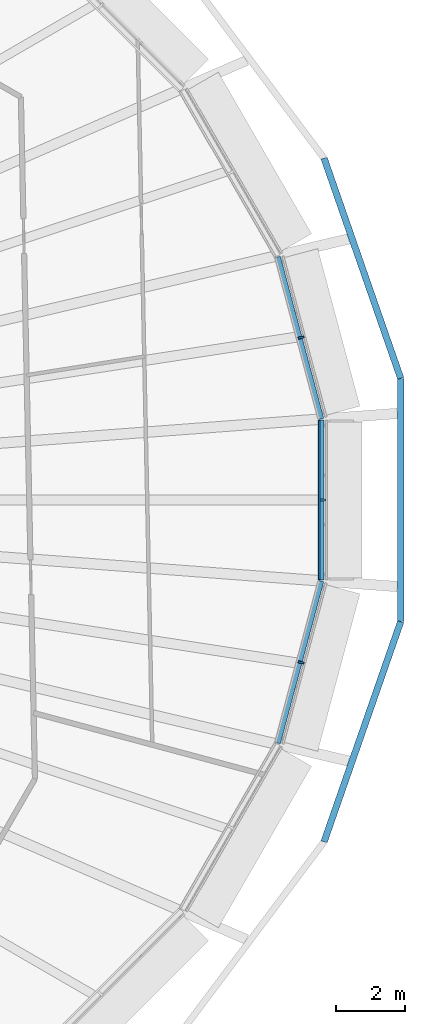
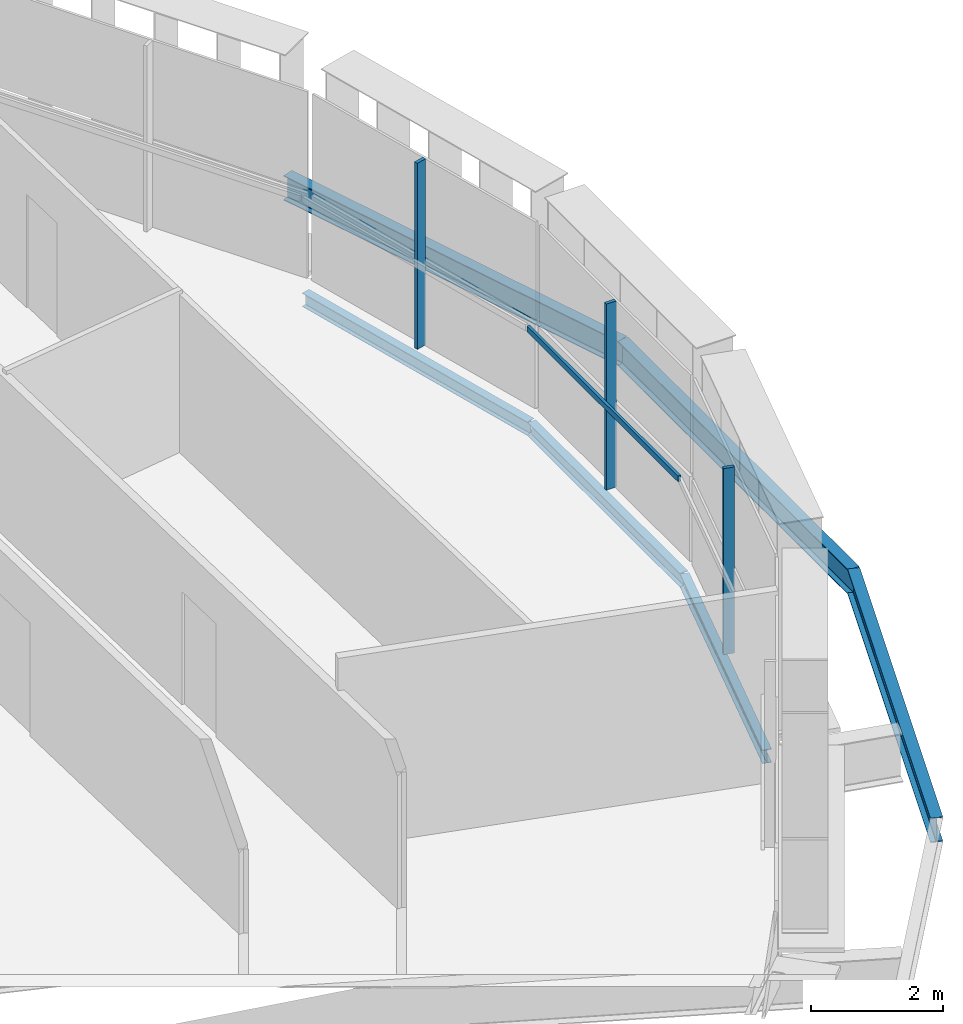
# One storey, part 9 of 23: 6 beams, 4 members, 3 elements without a shape of their own.
"""IFC4 building model written with IfcOpenShell, lengths in metres."""

from ifc_helpers import new_model, si_unit, direction, frame, origin, origin_2d, place, context, subcontext, project, spatial, rectangle, i_section, extrude, material, layer, layer_set, material_profile, profile_set, type_object, element, aggregate, save


model = new_model("IFC4")

# Units and contexts
model_context = context("Model", 3, precision=1e-05, world=origin(), true_north=direction((0.0, 1.0)))
body_context = subcontext(model_context, "Body", "Model", "MODEL_VIEW")
ifc_project = project(units=[si_unit("LENGTHUNIT", "METRE"), si_unit("AREAUNIT", "SQUARE_METRE"), si_unit("VOLUMEUNIT", "CUBIC_METRE"), si_unit("PLANEANGLEUNIT", "RADIAN"), si_unit("MASSUNIT", "GRAM", prefix="KILO")], contexts=[model_context])

# Site, building, storey
site_placement = place(None, origin())
site = spatial("IfcSite", under=ifc_project, at=site_placement, CompositionType="ELEMENT")
building_placement = place(site_placement, origin())
building = spatial("IfcBuilding", under=site, at=building_placement, Name="Sahrelin Media Tower", CompositionType="ELEMENT")
storey_placement = place(building_placement, frame((0.0, 0.0, 157.60009765625)))
storey = spatial("IfcBuildingStorey", under=building, at=storey_placement, Name="L32", CompositionType="ELEMENT", Elevation=157.60009765625)

# Beams
ifc_material_1 = material(Name="Steel S355", Category="steel")
ifc_material_profile_1 = material_profile(ifc_material_1, i_section(OverallWidth=0.14599609375, OverallDepth=0.25146484375, WebThickness=0.006103515625, FlangeThickness=0.008544921875, FilletRadius=0.007568359375, at=origin_2d()), Name="UB 254x146x31")
ifc_profile_set_1 = profile_set([ifc_material_profile_1], Name="Steel S355")
beam_type_1 = type_object("IfcBeamType", Name="Edge beam EB1", PredefinedType="BEAM", material=ifc_profile_set_1)
beam_1_placement = place(storey_placement, frame((31.201416015625, 2.30859375, -0.27587890625), z_axis=(0.0, -1.0, 0.0), x_axis=(1.0, 0.0, 0.0)))
element("IfcBeam", 1, at=beam_1_placement, inside=storey, type_object=beam_type_1, Name="Edge beam L32-01", PredefinedType="BEAM", context=body_context, shape_type="SweptSolid", body=[
    extrude(i_section(OverallWidth=0.14599609375, OverallDepth=0.25146484375, WebThickness=0.006103515625, FlangeThickness=0.008544921875, FilletRadius=0.007568359375, at=origin_2d()), origin(), (0.0, 0.0, 1.0), 4.6171875),
])
for number, where, z_axis, x_axis, name in (
    (2, (31.19775390625, -2.33740234375, -0.27587890625), (-0.258800908736, -0.965930685731, 0.0), (0.965930685731, -0.258800908736, 0.0), "Edge beam L32-02"),
    (3, (29.947265625, 7.004638671875, -0.27587890625), (0.258800908736, -0.965930685731, 0.0), (0.965930685731, 0.258800908736, 0.0), "Edge beam L32-24"),
):
    element("IfcBeam", number, at=place(storey_placement, frame(where, z_axis=z_axis, x_axis=x_axis)), inside=storey, type_object=beam_type_1, Name=name, PredefinedType="BEAM", context=body_context, shape_type="SweptSolid", body=[
        extrude(i_section(OverallWidth=0.14599609375, OverallDepth=0.25146484375, WebThickness=0.006103515625, FlangeThickness=0.008544921875, FilletRadius=0.007568359375, at=origin_2d()), origin(), (0.0, 0.0, 1.0), 4.831787109375),
    ])

# Curtain wall, member
ifc_material_2 = material(Name="Champagne anodised aluminium 6063-T6", Category="aluminium")
ifc_layer = layer(ifc_material_2, 0.14990234375)
ifc_layer_set = layer_set([ifc_layer], Name="Tower ribbon curtain wall")
curtain_wall_type = type_object("IfcCurtainWallType", Name="Tower ribbon curtain wall", PredefinedType="NOTDEFINED", material=ifc_layer_set)
curtain_wall_1_placement = place(storey_placement, frame((31.3515625, 0.0, 0.0), z_axis=(0.0, 0.0, 1.0), x_axis=(1.0, 0.0, 0.0)))
curtain_wall_1 = element("IfcCurtainWall", 4, at=curtain_wall_1_placement, inside=storey, type_object=curtain_wall_type, Name="L32:CW:L32-00", PredefinedType="NOTDEFINED")
ifc_material_profile_2 = material_profile(ifc_material_2, rectangle(XDim=0.06005859375, YDim=0.175048828125, at=origin_2d()), Name="Mullion 60x175")
ifc_profile_set_2 = profile_set([ifc_material_profile_2], Name="Champagne anodised aluminium 6063-T6")
member_type_1 = type_object("IfcMemberType", Name="Mullion 60x175 CW1B", PredefinedType="MULLION", material=ifc_profile_set_2)
member_1_placement = place(storey_placement, frame((31.243896484375, 0.0, 0.0), z_axis=(0.0, 0.0, 1.0), x_axis=(0.0, 1.0, 0.0)))
member_1 = element("IfcMember", 5, at=member_1_placement, type_object=member_type_1, Name="L32:CWM:L32-00", PredefinedType="MULLION", context=body_context, shape_type="SweptSolid", body=[
    extrude(rectangle(XDim=0.06005859375, YDim=0.175048828125, at=origin_2d()), origin(), (0.0, 0.0, 1.0), 3.448486328125),
])

curtain_wall_2_placement = place(storey_placement, frame((30.71728515625, 4.709716796875, 0.0), z_axis=(0.0, 0.0, 1.0), x_axis=(1.0, 0.0, 0.0)))
curtain_wall_2 = element("IfcCurtainWall", 6, at=curtain_wall_2_placement, inside=storey, type_object=curtain_wall_type, Name="L32:CW:L32-01", PredefinedType="NOTDEFINED")
member_2_placement = place(storey_placement, frame((30.613525390625, 4.681884765625, 0.0), z_axis=(0.0, 0.0, 1.0), x_axis=(-0.258807244073, 0.965928988288, 0.0)))
member_2 = element("IfcMember", 7, at=member_2_placement, type_object=member_type_1, Name="L32:CWM:L32-01", PredefinedType="MULLION", context=body_context, shape_type="SweptSolid", body=[
    extrude(rectangle(XDim=0.06005859375, YDim=0.175048828125, at=origin_2d()), origin(), (0.0, 0.0, 1.0), 3.448486328125),
])
aggregate(curtain_wall_2, [member_2])

curtain_wall_3_placement = place(storey_placement, frame((30.71728515625, -4.709716796875, 0.0), z_axis=(0.0, 0.0, 1.0), x_axis=(1.0, 0.0, 0.0)))
curtain_wall_3 = element("IfcCurtainWall", 8, at=curtain_wall_3_placement, inside=storey, type_object=curtain_wall_type, Name="L32:CW:L32-23", PredefinedType="NOTDEFINED")
member_3_placement = place(storey_placement, frame((30.613525390625, -4.681884765625, 0.0), z_axis=(0.0, 0.0, 1.0), x_axis=(0.258807244073, 0.965928988288, 0.0)))
member_3 = element("IfcMember", 9, at=member_3_placement, type_object=member_type_1, Name="L32:CWM:L32-23", PredefinedType="MULLION", context=body_context, shape_type="SweptSolid", body=[
    extrude(rectangle(XDim=0.06005859375, YDim=0.175048828125, at=origin_2d()), origin(), (0.0, 0.0, 1.0), 3.448486328125),
])
aggregate(curtain_wall_3, [member_3])

# Beams
ifc_material_profile_3 = material_profile(ifc_material_1, i_section(OverallWidth=0.1904296875, OverallDepth=0.45703125, WebThickness=0.009033203125, FlangeThickness=0.014404296875, FilletRadius=0.01025390625, at=origin_2d()), Name="UB 457x191x74")
ifc_profile_set_3 = profile_set([ifc_material_profile_3], Name="Steel S355")
beam_type_2 = type_object("IfcBeamType", Name="Tie chord TC5", PredefinedType="BEAM", material=ifc_profile_set_3)
for number, where, z_axis, x_axis, name in (
    (10, (33.485107421875, 3.5068359375, -0.378662109375), (-0.328751834685, 0.9444163442, 0.0), (-0.9444163442, -0.328751834685, 0.0), "Tie chord L32-01"),
    (11, (31.277099609375, -9.849853515625, -0.378662109375), (0.328751834685, 0.9444163442, 0.0), (-0.9444163442, 0.328751834685, 0.0), "Tie chord L32-23"),
):
    element("IfcBeam", number, at=place(storey_placement, frame(where, z_axis=z_axis, x_axis=x_axis)), inside=storey, type_object=beam_type_2, Name=name, PredefinedType="BEAM", context=body_context, shape_type="SweptSolid", body=[
        extrude(i_section(OverallWidth=0.1904296875, OverallDepth=0.45703125, WebThickness=0.009033203125, FlangeThickness=0.014404296875, FilletRadius=0.01025390625, at=origin_2d()), origin(), (0.0, 0.0, 1.0), 6.71630859375),
    ])
beam_2_placement = place(storey_placement, frame((33.485107421875, -3.5068359375, -0.378662109375), z_axis=(0.0, 1.0, 0.0), x_axis=(-1.0, 0.0, 0.0)))
element("IfcBeam", 12, at=beam_2_placement, inside=storey, type_object=beam_type_2, Name="Tie chord L32-24", PredefinedType="BEAM", context=body_context, shape_type="SweptSolid", body=[
    extrude(i_section(OverallWidth=0.1904296875, OverallDepth=0.45703125, WebThickness=0.009033203125, FlangeThickness=0.014404296875, FilletRadius=0.01025390625, at=origin_2d()), origin(), (0.0, 0.0, 1.0), 7.013671875),
])

# Member
ifc_material_profile_4 = material_profile(ifc_material_2, rectangle(XDim=0.050048828125, YDim=0.110107421875, at=origin_2d()), Name="Transom 50x110")
ifc_profile_set_4 = profile_set([ifc_material_profile_4], Name="Champagne anodised aluminium 6063-T6")
member_type_2 = type_object("IfcMemberType", Name="Transom 50x110 CW1B", PredefinedType="USERDEFINED", material=ifc_profile_set_4)
member_4_placement = place(storey_placement, frame((31.131591796875, -2.29296875, 1.599853515625), z_axis=(0.0, 1.0, 0.0), x_axis=(-1.0, 0.0, 0.0)))
member_4 = element("IfcMember", 13, at=member_4_placement, type_object=member_type_2, Name="L32:CWT:L32-00", ObjectType="TRANSOM", PredefinedType="USERDEFINED", context=body_context, shape_type="SweptSolid", body=[
    extrude(rectangle(XDim=0.050048828125, YDim=0.110107421875, at=origin_2d()), origin(), (0.0, 0.0, 1.0), 4.5859375),
])

aggregate(curtain_wall_1, [member_1, member_4])

save(model, "model.ifc")
